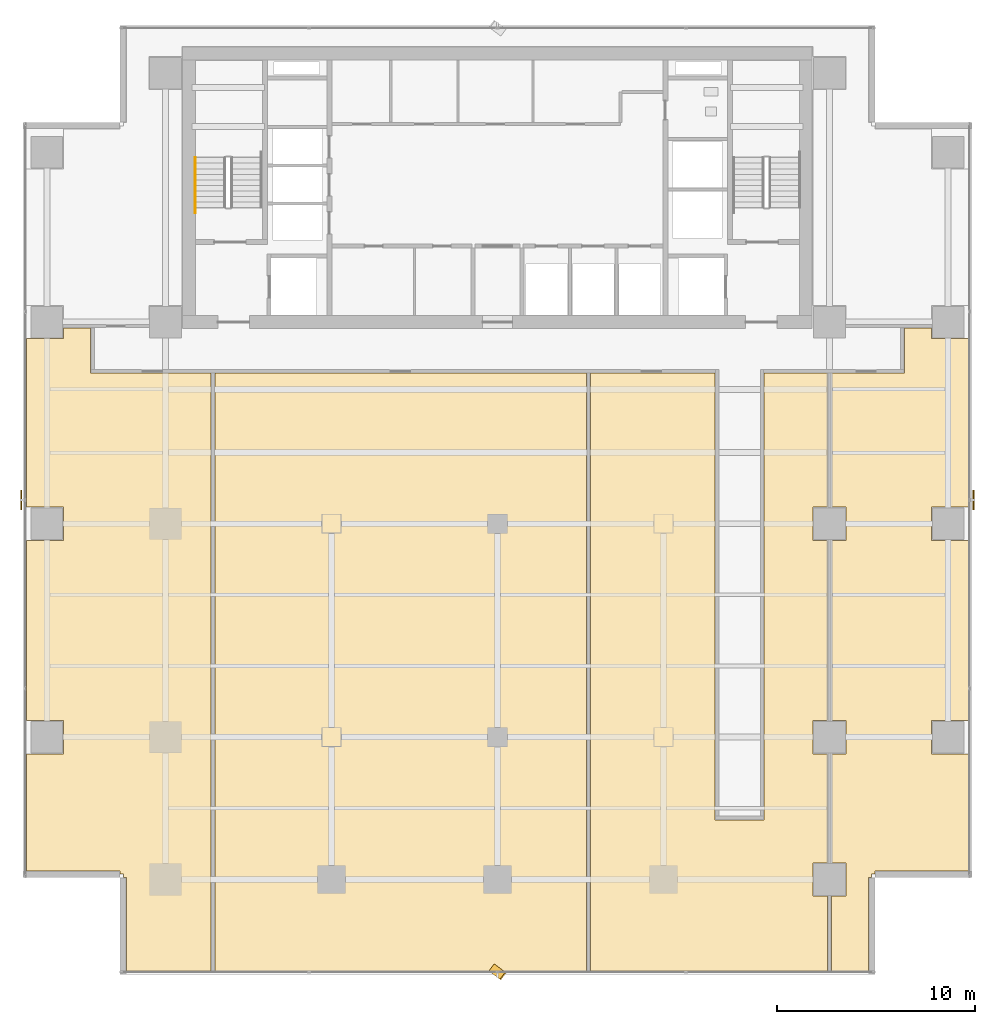
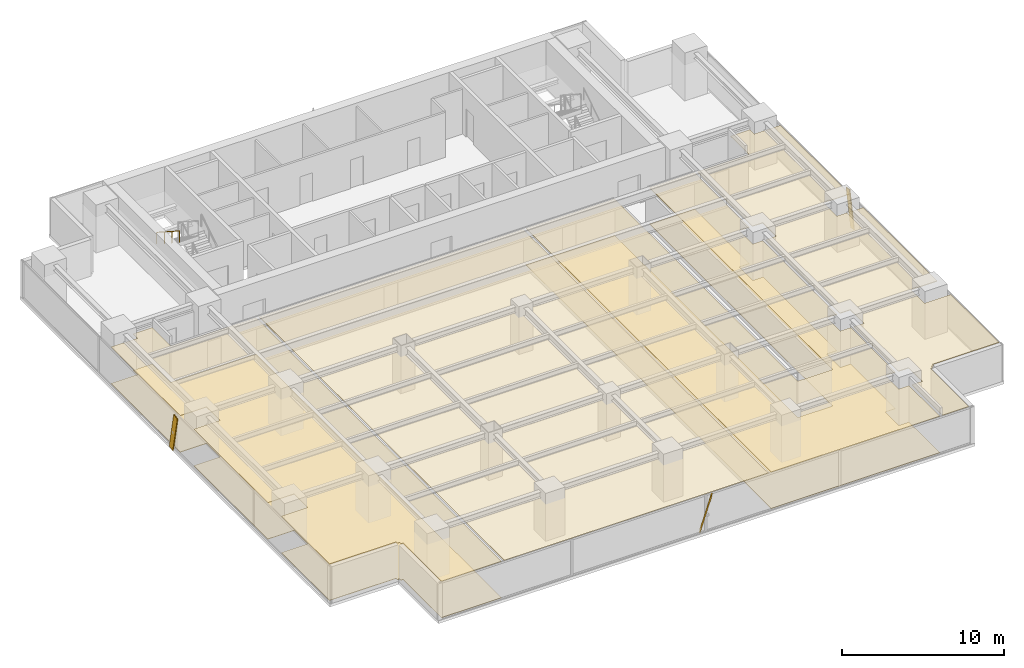
# One storey, part 23 of 27: 6 coverings, 3 shading devices, 1 railing.
"""IFC4 building model written with IfcOpenShell, lengths in metres."""

from ifc_helpers import new_model, si_unit, direction, frame, origin, origin_2d, place, context, subcontext, project, spatial, polyline, rectangle, outline, extrude, source, transform, mapped, material, layer, layer_set, material_profile, profile_set, type_object, element, save


model = new_model("IFC4")

# Units and contexts
model_context = context("Model", 3, precision=1e-05, world=origin(), true_north=direction((0.0, 1.0)))
body_context = subcontext(model_context, "Body", "Model", "MODEL_VIEW")
ifc_project = project(units=[si_unit("LENGTHUNIT", "METRE"), si_unit("AREAUNIT", "SQUARE_METRE"), si_unit("VOLUMEUNIT", "CUBIC_METRE"), si_unit("PLANEANGLEUNIT", "RADIAN"), si_unit("MASSUNIT", "GRAM", prefix="KILO")], contexts=[model_context])

# Site, building, storey
site_placement = place(None, origin())
site = spatial("IfcSite", under=ifc_project, at=site_placement, CompositionType="ELEMENT")
building_placement = place(site_placement, origin())
building = spatial("IfcBuilding", under=site, at=building_placement, Name="Sumidabori Civic Tower", CompositionType="ELEMENT")
storey_placement = place(building_placement, frame((0.0, 0.0, 164.0)))
storey = spatial("IfcBuildingStorey", under=building, at=storey_placement, Name="L42", CompositionType="ELEMENT", Elevation=164.0)

# Coverings
ifc_material_1 = material(Name="Perforated Timber Acoustic Ceiling", Category="wood")
ifc_layer_1 = layer(ifc_material_1, 0.044921875, Name="Perforated Timber Acoustic Ceiling")
ifc_layer_set_1 = layer_set([ifc_layer_1], Name="Perforated Timber Acoustic Ceiling")
covering_type_1 = type_object("IfcCoveringType", Name="CV-CEIL-AC2", PredefinedType="CEILING", material=ifc_layer_set_1)
covering_1_placement = place(storey_placement, frame((0.0, 0.0, 2.72998046875)))
element("IfcCovering", 1, at=covering_1_placement, inside=storey, type_object=covering_type_1, Name="Room Acoustic Ceiling L42-02", PredefinedType="CEILING", context=body_context, shape_type="SweptSolid", body=[
    extrude(outline(polyline([(18.77197265625, -22.6298828125), (16.902587890625, -22.6298828125), (16.902587890625, -18.840087890625), (17.639892578125, -18.840087890625), (17.639892578125, -17.159912109375), (16.902587890625, -17.159912109375), (16.902587890625, -11.639892578125), (17.639892578125, -11.639892578125), (17.639892578125, -9.9599609375), (16.902587890625, -9.9599609375), (16.902587890625, -0.840087890625), (17.639892578125, -0.840087890625), (17.639892578125, 0.840087890625), (16.902587890625, 0.840087890625), (16.902587890625, 7.614990234375), (20.5673828125, 7.614990234375), (20.5849609375, 7.619384765625), (20.5849609375, 9.8974609375), (21.9599609375, 9.8974609375), (21.9599609375, 9.360107421875), (23.830078125, 9.360107421875), (23.830078125, 0.840087890625), (21.9599609375, 0.840087890625), (21.9599609375, -0.840087890625), (23.830078125, -0.840087890625), (23.830078125, -9.9599609375), (21.9599609375, -9.9599609375), (21.9599609375, -11.639892578125), (23.830078125, -11.639892578125), (23.830078125, -17.572021484375), (19.092041015625, -17.572021484375), (19.092041015625, -17.72998046875), (18.929931640625, -17.72998046875), (18.929931640625, -17.89208984375), (18.77197265625, -17.89208984375), (18.77197265625, -22.6298828125)])), origin(), (0.0, 0.0, 1.0), 0.044921875),
])
covering_2_placement = place(storey_placement, frame((0.0, 0.0, 2.72998046875)))
element("IfcCovering", 2, at=covering_2_placement, inside=storey, type_object=covering_type_1, Name="Room Acoustic Ceiling L42-03", PredefinedType="CEILING", context=body_context, shape_type="SweptSolid", body=[
    extrude(outline(polyline([(-23.830078125, -0.840087890625), (-21.9599609375, -0.840087890625), (-21.9599609375, 0.840087890625), (-23.830078125, 0.840087890625), (-23.830078125, 9.360107421875), (-21.9599609375, 9.360107421875), (-21.9599609375, 9.8974609375), (-20.5849609375, 9.8974609375), (-20.5849609375, 7.619384765625), (-20.5673828125, 7.614990234375), (-14.50244140625, 7.614990234375), (-14.50244140625, -22.6298828125), (-18.77197265625, -22.6298828125), (-18.77197265625, -17.89208984375), (-18.929931640625, -17.89208984375), (-18.929931640625, -17.72998046875), (-19.092041015625, -17.72998046875), (-19.092041015625, -17.572021484375), (-23.830078125, -17.572021484375), (-23.830078125, -11.639892578125), (-21.9599609375, -11.639892578125), (-21.9599609375, -9.9599609375), (-23.830078125, -9.9599609375), (-23.830078125, -0.840087890625)])), origin(), (0.0, 0.0, 1.0), 0.044921875),
])
covering_3_placement = place(storey_placement, frame((0.0, 0.0, 2.72998046875)))
element("IfcCovering", 3, at=covering_3_placement, inside=storey, type_object=covering_type_1, Name="Room Acoustic Ceiling L42-04", PredefinedType="CEILING", context=body_context, shape_type="SweptSolid", body=[
    extrude(outline(polyline([(-14.297607421875, 7.614990234375), (4.49755859375, 7.614990234375), (4.49755859375, -22.6298828125), (-14.297607421875, -22.6298828125), (-14.297607421875, 7.614990234375)])), origin(), (0.0, 0.0, 1.0), 0.044921875),
])
covering_4_placement = place(storey_placement, frame((0.0, 0.0, 2.72998046875)))
element("IfcCovering", 4, at=covering_4_placement, inside=storey, type_object=covering_type_1, Name="Room Acoustic Ceiling L42-05", PredefinedType="CEILING", context=body_context, shape_type="SweptSolid", body=[
    extrude(outline(polyline([(4.702392578125, -22.6298828125), (4.702392578125, 7.614990234375), (11.014892578125, 7.614990234375), (11.014892578125, -14.985107421875), (13.485107421875, -14.985107421875), (13.485107421875, 7.614990234375), (16.697509765625, 7.614990234375), (16.697509765625, 0.840087890625), (15.9599609375, 0.840087890625), (15.9599609375, -0.840087890625), (16.697509765625, -0.840087890625), (16.697509765625, -9.9599609375), (15.9599609375, -9.9599609375), (15.9599609375, -11.639892578125), (16.697509765625, -11.639892578125), (16.697509765625, -17.159912109375), (15.9599609375, -17.159912109375), (15.9599609375, -18.840087890625), (16.697509765625, -18.840087890625), (16.697509765625, -22.6298828125), (4.702392578125, -22.6298828125)])), origin(), (0.0, 0.0, 1.0), 0.044921875),
])
ifc_material_2 = material(Name="Honed Terrazzo Tile Flooring")
ifc_layer_2 = layer(ifc_material_2, 0.030029296875, Name="Honed Terrazzo Tile Flooring")
ifc_layer_set_2 = layer_set([ifc_layer_2], Name="Honed Terrazzo Tile Flooring")
covering_type_2 = type_object("IfcCoveringType", Name="CV-FLR-TER", PredefinedType="FLOORING", material=ifc_layer_set_2)
covering_5_placement = place(storey_placement, origin())
element("IfcCovering", 5, at=covering_5_placement, inside=storey, type_object=covering_type_2, Name="Room Terrazzo Floor L42-03", PredefinedType="FLOORING", context=body_context, shape_type="SweptSolid", body=[
    extrude(outline(polyline([(-23.830078125, -0.840087890625), (-21.9599609375, -0.840087890625), (-21.9599609375, 0.840087890625), (-23.830078125, 0.840087890625), (-23.830078125, 9.360107421875), (-21.9599609375, 9.360107421875), (-21.9599609375, 9.8974609375), (-20.5849609375, 9.8974609375), (-20.5849609375, 7.619384765625), (-20.5673828125, 7.614990234375), (-14.50244140625, 7.614990234375), (-14.50244140625, -22.6298828125), (-18.77197265625, -22.6298828125), (-18.77197265625, -17.89208984375), (-18.929931640625, -17.89208984375), (-18.929931640625, -17.72998046875), (-19.092041015625, -17.72998046875), (-19.092041015625, -17.572021484375), (-23.830078125, -17.572021484375), (-23.830078125, -11.639892578125), (-21.9599609375, -11.639892578125), (-21.9599609375, -9.9599609375), (-23.830078125, -9.9599609375), (-23.830078125, -0.840087890625)])), origin(), (0.0, 0.0, 1.0), 0.030029296875),
])
covering_6_placement = place(storey_placement, origin())
element("IfcCovering", 6, at=covering_6_placement, inside=storey, type_object=covering_type_2, Name="Room Terrazzo Floor L42-05", PredefinedType="FLOORING", context=body_context, shape_type="SweptSolid", body=[
    extrude(outline(polyline([(4.702392578125, -22.6298828125), (4.702392578125, 7.614990234375), (11.014892578125, 7.614990234375), (11.014892578125, -14.985107421875), (13.485107421875, -14.985107421875), (13.485107421875, 7.614990234375), (16.697509765625, 7.614990234375), (16.697509765625, 0.840087890625), (15.9599609375, 0.840087890625), (15.9599609375, -0.840087890625), (16.697509765625, -0.840087890625), (16.697509765625, -9.9599609375), (15.9599609375, -9.9599609375), (15.9599609375, -11.639892578125), (16.697509765625, -11.639892578125), (16.697509765625, -17.159912109375), (15.9599609375, -17.159912109375), (15.9599609375, -18.840087890625), (16.697509765625, -18.840087890625), (16.697509765625, -22.6298828125), (4.702392578125, -22.6298828125)])), origin(), (0.0, 0.0, 1.0), 0.030029296875),
])

# Railing
ifc_material_3 = material(Name="Stainless Steel Hairline Finish", Category="steel")
railing_type = type_object("IfcRailingType", Name="RL-HANDRAIL", PredefinedType="HANDRAIL", material=ifc_material_3)
railing_placement = place(storey_placement, frame((-15.2900390625, 18.52001953125, 1.97998046875)))
element("IfcRailing", 7, at=railing_placement, inside=storey, type_object=railing_type, Name="L42 ST-1 stair handrail 2", PredefinedType="HANDRAIL", context=body_context, shape_type="SweptSolid", body=[
    extrude(rectangle(XDim=0.048095703125, YDim=0.048095703125, at=origin_2d()), frame((0.0, 0.0, 0.8759765625), z_axis=(0.0, -0.840675598268, 0.541539046124), x_axis=(1.0, 0.0, 0.0)), (0.0, 0.0, 1.0), 3.330810546875),
    extrude(rectangle(XDim=0.0419921875, YDim=0.0419921875, at=origin_2d()), origin(), (0.0, 0.0, 1.0), 0.851806640625),
    extrude(rectangle(XDim=0.0419921875, YDim=0.0419921875, at=origin_2d()), frame((0.0, -0.933349609375, 0.601318359375)), (0.0, 0.0, 1.0), 0.851806640625),
    extrude(rectangle(XDim=0.0419921875, YDim=0.0419921875, at=origin_2d()), frame((0.0, -1.86669921875, 1.202392578125)), (0.0, 0.0, 1.0), 0.851806640625),
    extrude(rectangle(XDim=0.0419921875, YDim=0.0419921875, at=origin_2d()), frame((0.0, -2.800048828125, 1.8037109375)), (0.0, 0.0, 1.0), 0.851806640625),
])

# Shading devices
ifc_material_4 = material(Name="Anodised Bronze Aluminium AW-6063-T6", Category="aluminium")
ifc_material_profile = material_profile(ifc_material_4, rectangle(XDim=0.06005859375, YDim=0.449951171875, at=origin_2d()), Name="BRONZE FIN 450x60")
ifc_profile_set = profile_set([ifc_material_profile], Name="Anodised Bronze Aluminium AW-6063-T6")
shading_device_type = type_object("IfcShadingDeviceType", Name="SH-FIN-450", PredefinedType="USERDEFINED", material=ifc_profile_set)
shared_shape_1 = source(origin(), body_context, "Body", "SweptSolid", [
    extrude(rectangle(XDim=0.06005859375, YDim=0.449951171875, at=origin_2d()), origin(), (0.0, 0.0, 1.0), 2.789306640625),
])
shading_device_placement = place(storey_placement, frame((-0.280029296875, -22.469970703125, 0.02001953125), z_axis=(0.200794136335, -0.150551837182, 0.967995794998), x_axis=(0.774477654896, -0.580689436103, -0.250966413819)))
element("IfcShadingDevice", 8, at=shading_device_placement, inside=storey, type_object=shading_device_type, Name="Bronze Anodised Diagonal Fin L42-02", ObjectType="FIN", PredefinedType="USERDEFINED", context=body_context, shape_type="MappedRepresentation", body=[
    mapped(shared_shape_1, transform((0.0, 0.0, 0.0), x_axis=(1.0, 0.0, 0.0), y_axis=(0.0, 1.0, 0.0), z_axis=(0.0, 0.0, 1.0), scale=1.0)),
])
shared_shape_2 = source(origin(), body_context, "Body", "SweptSolid", [
    extrude(rectangle(XDim=0.06005859375, YDim=0.449951171875, at=origin_2d()), origin(), (0.0, 0.0, 1.0), 2.75732421875),
])
for number, where, z_axis, x_axis, name in (
    (9, (24.090087890625, 0.919921875, 0.02001953125), (0.0, 0.203109150817, 0.979156102393), (-1.0, 0.0, 0.0), "Bronze Anodised Diagonal Fin L42-02"),
    (10, (-24.090087890625, 1.47998046875, 0.02001953125), (0.0, -0.203109150817, 0.979156102393), (-1.0, 0.0, 0.0), "Bronze Anodised Diagonal Fin L42-02"),
):
    element("IfcShadingDevice", number, at=place(storey_placement, frame(where, z_axis=z_axis, x_axis=x_axis)), inside=storey, type_object=shading_device_type, Name=name, ObjectType="FIN", PredefinedType="USERDEFINED", context=body_context, shape_type="MappedRepresentation", body=[
        mapped(shared_shape_2, transform((0.0, 0.0, 0.0), x_axis=(1.0, 0.0, 0.0), y_axis=(0.0, 1.0, 0.0), z_axis=(0.0, 0.0, 1.0), scale=1.0)),
    ])

save(model, "model.ifc")
